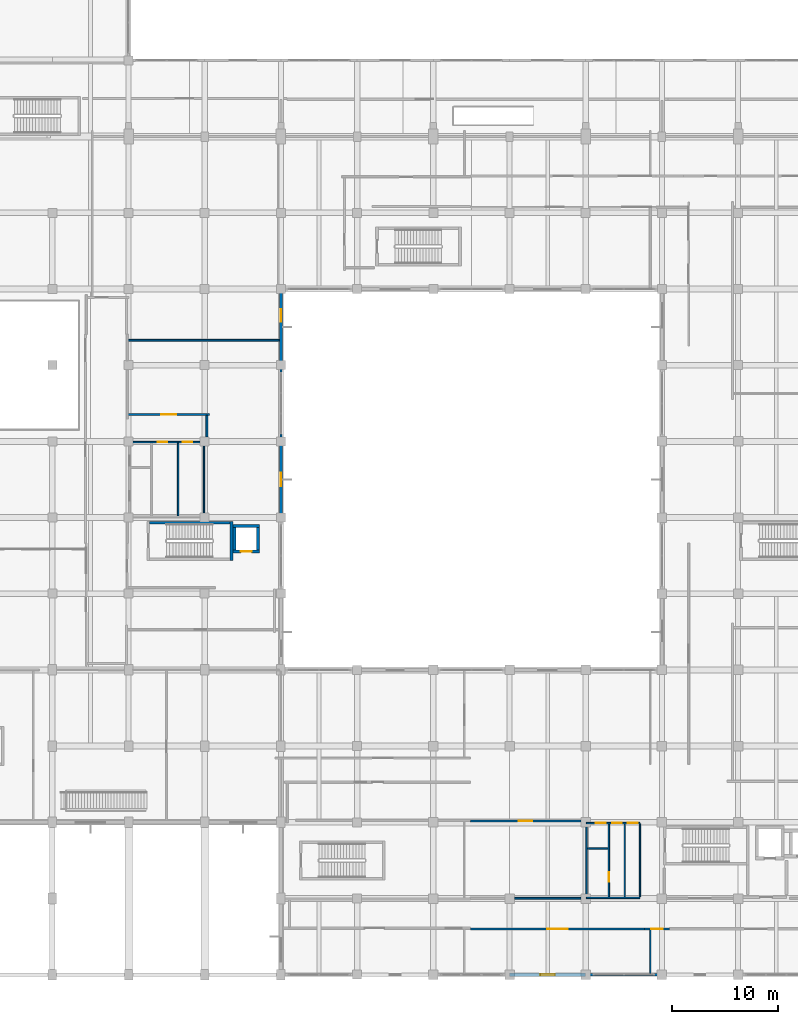
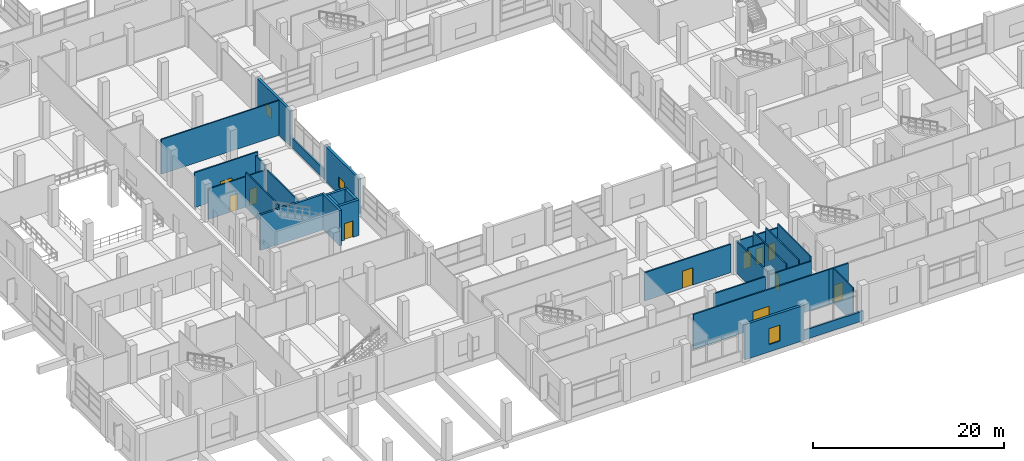
# One storey, part 157 of 181: 29 walls, 11 doors, 3 windows, 14 openings.
"""IFC4 building model written with IfcOpenShell, lengths in metres."""

from ifc_helpers import new_model, si_unit, direction, frame, frame_2d, origin, place, context, subcontext, project, spatial, rectangle, extrude, material, layer, layer_set, type_object, element, fill, save


model = new_model("IFC4")

# Units and contexts
model_context = context("Model", 3, precision=1e-05, world=origin(), true_north=direction((0.0, 1.0)))
body_context = subcontext(model_context, "Body", "Model", "MODEL_VIEW")
ifc_project = project(units=[si_unit("LENGTHUNIT", "METRE"), si_unit("AREAUNIT", "SQUARE_METRE"), si_unit("VOLUMEUNIT", "CUBIC_METRE"), si_unit("PLANEANGLEUNIT", "RADIAN"), si_unit("MASSUNIT", "GRAM", prefix="KILO")], contexts=[model_context])

# Site, building, storey
site_placement = place(None, origin())
site = spatial("IfcSite", under=ifc_project, at=site_placement, CompositionType="ELEMENT")
building_placement = place(site_placement, origin())
building = spatial("IfcBuilding", under=site, at=building_placement, Name="Seraya Terrace Polytechnic", CompositionType="ELEMENT")
storey_placement = place(building_placement, frame((0.0, 0.0, 4.800048828125)))
storey = spatial("IfcBuildingStorey", under=building, at=storey_placement, Name="L01", CompositionType="ELEMENT", Elevation=4.800048828125)

# Wall, opening, window
ifc_material_1 = material(Name="Concrete C40/50", Category="concrete")
ifc_layer_1 = layer(ifc_material_1, 0.300048828125, Name="EW-01")
ifc_layer_set_1 = layer_set([ifc_layer_1], Name="Concrete C40/50")
wall_type_1 = type_object("IfcWallType", Name="EW-01", PredefinedType="SOLIDWALL", material=ifc_layer_set_1)
wall_1_placement = place(storey_placement, frame((72.0, 0.0, 0.0), z_axis=(0.0, 0.0, 1.0), x_axis=(-1.0, 0.0, 0.0)))
wall_1 = element("IfcWall", 1, at=wall_1_placement, inside=storey, type_object=wall_type_1, Name="Exterior structural wall EW-01 L01", PredefinedType="SOLIDWALL", context=body_context, shape_type="SweptSolid", body=[
    extrude(rectangle(XDim=7.199951171875, YDim=0.300048828125, at=frame_2d((3.60009765625, 0.0))), origin(), (0.0, 0.0, 1.0), 4.52001953125),
])
opening_1_placement = place(wall_1_placement, frame((2.925048828125, 0.0, 0.949951171875)))
opening_1 = element("IfcOpeningElement", 2, at=opening_1_placement, cuts=wall_1, Name="Opening WN-38", PredefinedType="OPENING", context=body_context, shape_type="SweptSolid", body=[
    extrude(rectangle(XDim=1.35009765625, YDim=2.050048828125, at=frame_2d((0.675048828125, 1.02490234375))), frame((0.0, 0.162109375, 0.0), z_axis=(0.0, -1.0, 0.0), x_axis=(1.0, 0.0, 0.0)), (0.0, 0.0, 1.0), 0.323974609375),
])
ifc_material_2 = material(Name="Laminated solar-control Low-E double glazing", Category="glass")
window_type_1 = type_object("IfcWindowType", Name="WN-38", PartitioningType="SINGLE_PANEL", PredefinedType="WINDOW", material=ifc_material_2)
window_1_placement = place(opening_1_placement, origin())
window_1 = element("IfcWindow", 3, at=window_1_placement, inside=storey, type_object=window_type_1, Name="Exterior window WN-38 L01", OverallHeight=2.050048828125, OverallWidth=1.35009765625, PartitioningType="SINGLE_PANEL", PredefinedType="WINDOW", context=body_context, shape_type="SweptSolid", body=[
    extrude(rectangle(XDim=1.35009765625, YDim=2.050048828125, at=frame_2d((0.675048828125, 1.02490234375))), frame((0.0, 0.030029296875, 0.0), z_axis=(0.0, -1.0, 0.0), x_axis=(1.0, 0.0, 0.0)), (0.0, 0.0, 1.0), 0.06005859375),
])
fill(opening_1, window_1)

wall_2_placement = place(storey_placement, frame((43.199951171875, 64.64794921875, 0.0), z_axis=(0.0, 0.0, 1.0), x_axis=(0.0, -1.0, 0.0)))
wall_2 = element("IfcWall", 4, at=wall_2_placement, inside=storey, type_object=wall_type_1, Name="Exterior structural wall EW-01 L01", PredefinedType="SOLIDWALL", context=body_context, shape_type="SweptSolid", body=[
    extrude(rectangle(XDim=7.0478515625, YDim=0.300048828125, at=frame_2d((3.52392578125, 0.0))), origin(), (0.0, 0.0, 1.0), 4.52001953125),
])
opening_2_placement = place(wall_2_placement, frame((1.781494140625, 0.0, 0.949951171875)))
opening_2 = element("IfcOpeningElement", 5, at=opening_2_placement, cuts=wall_2, Name="Opening WN-02", PredefinedType="OPENING", context=body_context, shape_type="SweptSolid", body=[
    extrude(rectangle(XDim=1.14990234375, YDim=1.300048828125, at=frame_2d((0.574951171875, 0.64990234375))), frame((0.0, 0.162109375, 0.0), z_axis=(0.0, -1.0, 0.0), x_axis=(1.0, 0.0, 0.0)), (0.0, 0.0, 1.0), 0.323974609375),
])
window_type_2 = type_object("IfcWindowType", Name="WN-02", PartitioningType="SINGLE_PANEL", PredefinedType="WINDOW", material=ifc_material_2)
window_2_placement = place(opening_2_placement, origin())
window_2 = element("IfcWindow", 6, at=window_2_placement, inside=storey, type_object=window_type_2, Name="Exterior window WN-02 L01", OverallHeight=1.300048828125, OverallWidth=1.14990234375, PartitioningType="SINGLE_PANEL", PredefinedType="WINDOW", context=body_context, shape_type="SweptSolid", body=[
    extrude(rectangle(XDim=1.14990234375, YDim=1.300048828125, at=frame_2d((0.574951171875, 0.64990234375))), frame((0.0, 0.030029296875, 0.0), z_axis=(0.0, -1.0, 0.0), x_axis=(1.0, 0.0, 0.0)), (0.0, 0.0, 1.0), 0.06005859375),
])
fill(opening_2, window_2)

wall_3_placement = place(storey_placement, frame((43.199951171875, 50.39990234375, 0.0), z_axis=(0.0, 0.0, 1.0), x_axis=(0.0, -1.0, 0.0)))
wall_3 = element("IfcWall", 7, at=wall_3_placement, inside=storey, type_object=wall_type_1, Name="Exterior structural wall EW-01 L01", PredefinedType="SOLIDWALL", context=body_context, shape_type="SweptSolid", body=[
    extrude(rectangle(XDim=7.199951171875, YDim=0.300048828125, at=frame_2d((3.60009765625, 0.0))), origin(), (0.0, 0.0, 1.0), 4.52001953125),
])
opening_3_placement = place(wall_3_placement, frame((2.949951171875, 0.0, 0.949951171875)))
opening_3 = element("IfcOpeningElement", 8, at=opening_3_placement, cuts=wall_3, Name="Opening WN-03", PredefinedType="OPENING", context=body_context, shape_type="SweptSolid", body=[
    extrude(rectangle(XDim=1.300048828125, YDim=1.300048828125, at=frame_2d((0.64990234375, 0.64990234375))), frame((0.0, 0.162109375, 0.0), z_axis=(0.0, -1.0, 0.0), x_axis=(1.0, 0.0, 0.0)), (0.0, 0.0, 1.0), 0.323974609375),
])
window_type_3 = type_object("IfcWindowType", Name="WN-03", PartitioningType="SINGLE_PANEL", PredefinedType="WINDOW", material=ifc_material_2)
window_3_placement = place(opening_3_placement, origin())
window_3 = element("IfcWindow", 9, at=window_3_placement, inside=storey, type_object=window_type_3, Name="Exterior window WN-03 L01", OverallHeight=1.300048828125, OverallWidth=1.300048828125, PartitioningType="SINGLE_PANEL", PredefinedType="WINDOW", context=body_context, shape_type="SweptSolid", body=[
    extrude(rectangle(XDim=1.300048828125, YDim=1.300048828125, at=frame_2d((0.64990234375, 0.64990234375))), frame((0.0, 0.030029296875, 0.0), z_axis=(0.0, -1.0, 0.0), x_axis=(1.0, 0.0, 0.0)), (0.0, 0.0, 1.0), 0.06005859375),
])
fill(opening_3, window_3)

# Walls
ifc_material_3 = material(Name="Precast concrete C40/50", Category="concrete")
ifc_layer_2 = layer(ifc_material_3, 0.219970703125, Name="EW-05")
ifc_layer_set_2 = layer_set([ifc_layer_2], Name="Precast concrete C40/50")
wall_type_2 = type_object("IfcWallType", Name="EW-05", PredefinedType="SOLIDWALL", material=ifc_layer_set_2)
wall_4_placement = place(storey_placement, frame((79.199951171875, 0.0, 0.0), z_axis=(0.0, 0.0, 1.0), x_axis=(-1.0, 0.0, 0.0)))
element("IfcWall", 10, at=wall_4_placement, inside=storey, type_object=wall_type_2, Name="Precast spandrel wall L01", PredefinedType="SOLIDWALL", context=body_context, shape_type="SweptSolid", body=[
    extrude(rectangle(XDim=7.199951171875, YDim=0.219970703125, at=frame_2d((3.60009765625, 0.0))), origin(), (0.0, 0.0, 1.0), 1.239990234375),
])
wall_5_placement = place(storey_placement, frame((43.199951171875, 57.60009765625, 0.0), z_axis=(0.0, 0.0, 1.0), x_axis=(0.0, -1.0, 0.0)))
element("IfcWall", 11, at=wall_5_placement, inside=storey, type_object=wall_type_2, Name="Precast spandrel wall L01", PredefinedType="SOLIDWALL", context=body_context, shape_type="SweptSolid", body=[
    extrude(rectangle(XDim=7.2001953125, YDim=0.219970703125, at=frame_2d((3.60009765625, 0.0))), origin(), (0.0, 0.0, 1.0), 1.239990234375),
])

# Wall, opening, door
ifc_material_4 = material(Name="Autoclaved aerated concrete blockwork", Category="masonry")
ifc_layer_3 = layer(ifc_material_4, 0.169921875, Name="PT-02")
ifc_layer_set_3 = layer_set([ifc_layer_3], Name="Autoclaved aerated concrete blockwork")
wall_type_3 = type_object("IfcWallType", Name="PT-02", PredefinedType="PARTITIONING", material=ifc_layer_set_3)
wall_6_placement = place(storey_placement, frame((61.09814453125, 14.530029296875, 0.0), z_axis=(0.0, 0.0, 1.0), x_axis=(1.0, 0.0, 0.0)))
wall_6 = element("IfcWall", 12, at=wall_6_placement, inside=storey, type_object=wall_type_3, Name="Internal partition PT-02 L01", PredefinedType="PARTITIONING", context=body_context, shape_type="SweptSolid", body=[
    extrude(rectangle(XDim=10.44189453125, YDim=0.169921875, at=frame_2d((5.220947265625, 0.0))), origin(), (0.0, 0.0, 1.0), 3.6298828125),
])
opening_4_placement = place(wall_6_placement, frame((4.580810546875, 0.0, 0.0)))
opening_4 = element("IfcOpeningElement", 13, at=opening_4_placement, cuts=wall_6, Name="Opening ID-08", PredefinedType="OPENING", context=body_context, shape_type="SweptSolid", body=[
    extrude(rectangle(XDim=1.280029296875, YDim=2.219970703125, at=frame_2d((0.64013671875, 1.10986328125))), frame((0.0, 0.096923828125, 0.0), z_axis=(0.0, -1.0, 0.0), x_axis=(1.0, 0.0, 0.0)), (0.0, 0.0, 1.0), 0.19384765625),
])
ifc_material_5 = material(Name="Malaysian dark red meranti hardwood timber D40", Category="wood")
door_type_1 = type_object("IfcDoorType", Name="ID-08", OperationType="NOTDEFINED", PredefinedType="DOOR", material=ifc_material_5)
door_1_placement = place(opening_4_placement, frame((1.280029296875, 0.0, 0.0), z_axis=(0.0, 0.0, 1.0), x_axis=(-1.0, 0.0, 0.0)))
door_1 = element("IfcDoor", 14, at=door_1_placement, inside=storey, type_object=door_type_1, Name="Door ID-08 DR-INT-L01-0085 in WL-INT-L01-0248", OperationType="SINGLE_SWING_RIGHT", OverallHeight=2.219970703125, OverallWidth=1.280029296875, PredefinedType="DOOR", context=body_context, shape_type="SweptSolid", body=[
    extrude(rectangle(XDim=1.280029296875, YDim=2.219970703125, at=frame_2d((0.64013671875, 1.10986328125))), frame((0.0, 0.02490234375, 0.0), z_axis=(0.0, -1.0, 0.0), x_axis=(1.0, 0.0, 0.0)), (0.0, 0.0, 1.0), 0.050048828125),
])
fill(opening_4, door_1)

wall_7_placement = place(storey_placement, frame((77.542236328125, 4.330078125, 0.0), z_axis=(0.0, 0.0, 1.0), x_axis=(1.0, 0.0, 0.0)))
wall_7 = element("IfcWall", 15, at=wall_7_placement, inside=storey, type_object=wall_type_3, Name="Internal partition PT-02 L01", PredefinedType="PARTITIONING", context=body_context, shape_type="SweptSolid", body=[
    extrude(rectangle(XDim=2.36767578125, YDim=0.169921875, at=frame_2d((1.183837890625, 0.0))), origin(), (0.0, 0.0, 1.0), 4.4599609375),
])
opening_5_placement = place(wall_7_placement, frame((0.643798828125, 0.0, 0.0)))
opening_5 = element("IfcOpeningElement", 16, at=opening_5_placement, cuts=wall_7, Name="Opening ID-05", PredefinedType="OPENING", context=body_context, shape_type="SweptSolid", body=[
    extrude(rectangle(XDim=1.080078125, YDim=2.199951171875, at=frame_2d((0.5400390625, 1.10009765625))), frame((0.0, 0.096923828125, 0.0), z_axis=(0.0, -1.0, 0.0), x_axis=(1.0, 0.0, 0.0)), (0.0, 0.0, 1.0), 0.19384765625),
])
door_type_2 = type_object("IfcDoorType", Name="ID-05", OperationType="NOTDEFINED", PredefinedType="DOOR", material=ifc_material_5)
door_2_placement = place(opening_5_placement, frame((1.080078125, 0.0, 0.0), z_axis=(0.0, 0.0, 1.0), x_axis=(-1.0, 0.0, 0.0)))
door_2 = element("IfcDoor", 17, at=door_2_placement, inside=storey, type_object=door_type_2, Name="Door ID-05 DR-INT-L01-0101 in WL-INT-L01-0260", OperationType="SINGLE_SWING_RIGHT", OverallHeight=2.199951171875, OverallWidth=1.080078125, PredefinedType="DOOR", context=body_context, shape_type="SweptSolid", body=[
    extrude(rectangle(XDim=1.080078125, YDim=2.199951171875, at=frame_2d((0.5400390625, 1.10009765625))), frame((0.0, 0.02490234375, 0.0), z_axis=(0.0, -1.0, 0.0), x_axis=(1.0, 0.0, 0.0)), (0.0, 0.0, 1.0), 0.050048828125),
])
fill(opening_5, door_2)

wall_8_placement = place(storey_placement, frame((61.09814453125, 4.330078125, 0.0), z_axis=(0.0, 0.0, 1.0), x_axis=(1.0, 0.0, 0.0)))
wall_8 = element("IfcWall", 18, at=wall_8_placement, inside=storey, type_object=wall_type_3, Name="Internal partition PT-02 L01", PredefinedType="PARTITIONING", context=body_context, shape_type="SweptSolid", body=[
    extrude(rectangle(XDim=16.444091796875, YDim=0.169921875, at=frame_2d((8.22216796875, 0.0))), origin(), (0.0, 0.0, 1.0), 4.4599609375),
])
opening_6_placement = place(wall_8_placement, frame((7.261962890625, 0.0, 0.0)))
opening_6 = element("IfcOpeningElement", 19, at=opening_6_placement, cuts=wall_8, Name="Opening ID-16", PredefinedType="OPENING", context=body_context, shape_type="SweptSolid", body=[
    extrude(rectangle(XDim=1.919921875, YDim=2.320068359375, at=frame_2d((0.9599609375, 1.16015625))), frame((0.0, 0.096923828125, 0.0), z_axis=(0.0, -1.0, 0.0), x_axis=(1.0, 0.0, 0.0)), (0.0, 0.0, 1.0), 0.19384765625),
])
door_type_3 = type_object("IfcDoorType", Name="ID-16", OperationType="DOUBLE_DOOR_SINGLE_SWING", PredefinedType="DOOR", material=ifc_material_5)
door_3_placement = place(opening_6_placement, frame((1.919921875, 0.0, 0.0), z_axis=(0.0, 0.0, 1.0), x_axis=(-1.0, 0.0, 0.0)))
door_3 = element("IfcDoor", 20, at=door_3_placement, inside=storey, type_object=door_type_3, Name="Door ID-16 DR-INT-L01-0077 in WL-INT-L01-0275", OperationType="DOUBLE_DOOR_SINGLE_SWING", OverallHeight=2.320068359375, OverallWidth=1.919921875, PredefinedType="DOOR", context=body_context, shape_type="SweptSolid", body=[
    extrude(rectangle(XDim=1.919921875, YDim=2.320068359375, at=frame_2d((0.9599609375, 1.16015625))), frame((0.0, 0.02490234375, 0.0), z_axis=(0.0, -1.0, 0.0), x_axis=(1.0, 0.0, 0.0)), (0.0, 0.0, 1.0), 0.050048828125),
])
fill(opening_6, door_3)

# Wall
wall_9_placement = place(storey_placement, frame((65.260009765625, 7.219970703125, 0.0), z_axis=(0.0, 0.0, 1.0), x_axis=(1.0, 0.0, 0.0)))
element("IfcWall", 21, at=wall_9_placement, inside=storey, type_object=wall_type_3, Name="Internal partition PT-02 L01", PredefinedType="PARTITIONING", context=body_context, shape_type="SweptSolid", body=[
    extrude(rectangle(XDim=6.280029296875, YDim=0.169921875, at=frame_2d((3.14013671875, 0.0))), origin(), (0.0, 0.0, 1.0), 3.89990234375),
])

# Wall, opening, door
wall_10_placement = place(storey_placement, frame((28.77001953125, 52.949951171875, 0.0), z_axis=(0.0, 0.0, 1.0), x_axis=(1.0, 0.0, 0.0)))
wall_10 = element("IfcWall", 22, at=wall_10_placement, inside=storey, type_object=wall_type_3, Name="Internal partition PT-02 L01", PredefinedType="PARTITIONING", context=body_context, shape_type="SweptSolid", body=[
    extrude(rectangle(XDim=7.669921875, YDim=0.169921875, at=frame_2d((3.8349609375, 0.0))), origin(), (0.0, 0.0, 1.0), 4.4599609375),
])
opening_7_placement = place(wall_10_placement, frame((3.125, 0.0, 0.0)))
opening_7 = element("IfcOpeningElement", 23, at=opening_7_placement, cuts=wall_10, Name="Opening ID-10", PredefinedType="OPENING", context=body_context, shape_type="SweptSolid", body=[
    extrude(rectangle(XDim=1.419921875, YDim=2.239990234375, at=frame_2d((0.7099609375, 1.1201171875))), frame((0.0, 0.096923828125, 0.0), z_axis=(0.0, -1.0, 0.0), x_axis=(1.0, 0.0, 0.0)), (0.0, 0.0, 1.0), 0.19384765625),
])
door_type_4 = type_object("IfcDoorType", Name="ID-10", OperationType="DOUBLE_DOOR_SINGLE_SWING", PredefinedType="DOOR", material=ifc_material_5)
door_4_placement = place(opening_7_placement, frame((1.419921875, 0.0, 0.0), z_axis=(0.0, 0.0, 1.0), x_axis=(-1.0, 0.0, 0.0)))
door_4 = element("IfcDoor", 24, at=door_4_placement, inside=storey, type_object=door_type_4, Name="Door ID-10 DR-INT-L01-0087 in WL-INT-L01-0313", OperationType="DOUBLE_DOOR_SINGLE_SWING", OverallHeight=2.239990234375, OverallWidth=1.419921875, PredefinedType="DOOR", context=body_context, shape_type="SweptSolid", body=[
    extrude(rectangle(XDim=1.419921875, YDim=2.239990234375, at=frame_2d((0.7099609375, 1.1201171875))), frame((0.0, 0.02490234375, 0.0), z_axis=(0.0, -1.0, 0.0), x_axis=(1.0, 0.0, 0.0)), (0.0, 0.0, 1.0), 0.050048828125),
])
fill(opening_7, door_4)

# Walls
wall_11_placement = place(storey_placement, frame((36.199951171875, 50.8349609375, 0.0), z_axis=(0.0, 0.0, 1.0), x_axis=(0.0, 1.0, 0.0)))
element("IfcWall", 25, at=wall_11_placement, inside=storey, type_object=wall_type_3, Name="Internal partition PT-02 L01", PredefinedType="PARTITIONING", context=body_context, shape_type="SweptSolid", body=[
    extrude(rectangle(XDim=2.01513671875, YDim=0.169921875, at=frame_2d((1.007568359375, 0.0))), origin(), (0.0, 0.0, 1.0), 4.079833984375),
])
ifc_layer_4 = layer(ifc_material_4, 0.14990234375, Name="PT-03")
ifc_layer_set_4 = layer_set([ifc_layer_4], Name="Autoclaved aerated concrete blockwork")
wall_type_4 = type_object("IfcWallType", Name="PT-03", PredefinedType="PARTITIONING", material=ifc_layer_set_4)
wall_12_placement = place(storey_placement, frame((28.77001953125, 59.955078125, 0.0), z_axis=(0.0, 0.0, 1.0), x_axis=(1.0, 0.0, 0.0)))
element("IfcWall", 26, at=wall_12_placement, inside=storey, type_object=wall_type_4, Name="Internal partition PT-03 L01", PredefinedType="PARTITIONING", context=body_context, shape_type="SweptSolid", body=[
    extrude(rectangle(XDim=14.26806640625, YDim=0.14990234375, at=frame_2d((7.134033203125, 0.0))), origin(), (0.0, 0.0, 1.0), 4.4599609375),
])
ifc_layer_5 = layer(ifc_material_4, 0.139892578125, Name="PT-04")
ifc_layer_set_5 = layer_set([ifc_layer_5], Name="Autoclaved aerated concrete blockwork")
wall_type_5 = type_object("IfcWallType", Name="PT-04", PredefinedType="PARTITIONING", material=ifc_layer_set_5)
wall_13_placement = place(storey_placement, frame((72.070068359375, 7.27001953125, 0.0), z_axis=(0.0, 0.0, 1.0), x_axis=(1.0, 0.0, 0.0)))
element("IfcWall", 27, at=wall_13_placement, inside=storey, type_object=wall_type_5, Name="Sanitary WC-A South wall L01", PredefinedType="PARTITIONING", context=body_context, shape_type="SweptSolid", body=[
    extrude(rectangle(XDim=5.059814453125, YDim=0.139892578125, at=frame_2d((2.52978515625, 0.0))), origin(), (0.0, 0.0, 1.0), 3.89990234375),
])

# Wall, openings, doors
wall_14_placement = place(storey_placement, frame((72.070068359375, 14.330078125, 0.0), z_axis=(0.0, 0.0, 1.0), x_axis=(1.0, 0.0, 0.0)))
wall_14 = element("IfcWall", 28, at=wall_14_placement, inside=storey, type_object=wall_type_5, Name="Sanitary WC-A North wall L01", PredefinedType="PARTITIONING", context=body_context, shape_type="SweptSolid", body=[
    extrude(rectangle(XDim=5.059814453125, YDim=0.139892578125, at=frame_2d((2.52978515625, 0.0))), origin(), (0.0, 0.0, 1.0), 3.89990234375),
])
opening_8_placement = place(wall_14_placement, frame((0.8798828125, 0.0, 0.0)))
opening_8 = element("IfcOpeningElement", 29, at=opening_8_placement, cuts=wall_14, Name="Opening ID-01", PredefinedType="OPENING", context=body_context, shape_type="SweptSolid", body=[
    extrude(rectangle(XDim=0.93994140625, YDim=2.10009765625, at=frame_2d((0.469970703125, 1.050048828125))), frame((0.0, 0.08203125, 0.0), z_axis=(0.0, -1.0, 0.0), x_axis=(1.0, 0.0, 0.0)), (0.0, 0.0, 1.0), 0.163818359375),
])
opening_9_placement = place(wall_14_placement, frame((2.4150390625, 0.0, 0.0)))
opening_9 = element("IfcOpeningElement", 30, at=opening_9_placement, cuts=wall_14, Name="Opening ID-02", PredefinedType="OPENING", context=body_context, shape_type="SweptSolid", body=[
    extrude(rectangle(XDim=0.89990234375, YDim=2.080078125, at=frame_2d((0.449951171875, 1.0400390625))), frame((0.0, 0.08203125, 0.0), z_axis=(0.0, -1.0, 0.0), x_axis=(1.0, 0.0, 0.0)), (0.0, 0.0, 1.0), 0.163818359375),
])
opening_10_placement = place(wall_14_placement, frame((3.925048828125, 0.0, 0.0)))
opening_10 = element("IfcOpeningElement", 31, at=opening_10_placement, cuts=wall_14, Name="Opening ID-02", PredefinedType="OPENING", context=body_context, shape_type="SweptSolid", body=[
    extrude(rectangle(XDim=0.89990234375, YDim=2.080078125, at=frame_2d((0.449951171875, 1.0400390625))), frame((0.0, 0.08203125, 0.0), z_axis=(0.0, -1.0, 0.0), x_axis=(1.0, 0.0, 0.0)), (0.0, 0.0, 1.0), 0.163818359375),
])
door_type_5 = type_object("IfcDoorType", Name="ID-01", OperationType="NOTDEFINED", PredefinedType="DOOR", material=ifc_material_5)
door_5_placement = place(opening_8_placement, origin())
door_5 = element("IfcDoor", 32, at=door_5_placement, inside=storey, type_object=door_type_5, Name="Door ID-01 DR-WC-WC-A-L01-OKU in WL-WC-WC-A-L01-N", OperationType="SINGLE_SWING_LEFT", OverallHeight=2.10009765625, OverallWidth=0.93994140625, PredefinedType="DOOR", context=body_context, shape_type="SweptSolid", body=[
    extrude(rectangle(XDim=0.93994140625, YDim=2.10009765625, at=frame_2d((0.469970703125, 1.050048828125))), frame((0.0, 0.02490234375, 0.0), z_axis=(0.0, -1.0, 0.0), x_axis=(1.0, 0.0, 0.0)), (0.0, 0.0, 1.0), 0.050048828125),
])
fill(opening_8, door_5)
door_type_6 = type_object("IfcDoorType", Name="ID-02", OperationType="NOTDEFINED", PredefinedType="DOOR", material=ifc_material_5)
door_6_placement = place(opening_9_placement, frame((0.89990234375, 0.0, 0.0), z_axis=(0.0, 0.0, 1.0), x_axis=(-1.0, 0.0, 0.0)))
door_6 = element("IfcDoor", 33, at=door_6_placement, inside=storey, type_object=door_type_6, Name="Door ID-02 DR-WC-WC-A-L01-M in WL-WC-WC-A-L01-N", OperationType="SINGLE_SWING_RIGHT", OverallHeight=2.080078125, OverallWidth=0.89990234375, PredefinedType="DOOR", context=body_context, shape_type="SweptSolid", body=[
    extrude(rectangle(XDim=0.89990234375, YDim=2.080078125, at=frame_2d((0.449951171875, 1.0400390625))), frame((0.0, 0.02490234375, 0.0), z_axis=(0.0, -1.0, 0.0), x_axis=(1.0, 0.0, 0.0)), (0.0, 0.0, 1.0), 0.050048828125),
])
fill(opening_9, door_6)
door_7_placement = place(opening_10_placement, frame((0.89990234375, 0.0, 0.0), z_axis=(0.0, 0.0, 1.0), x_axis=(-1.0, 0.0, 0.0)))
door_7 = element("IfcDoor", 34, at=door_7_placement, inside=storey, type_object=door_type_6, Name="Door ID-02 DR-WC-WC-A-L01-F in WL-WC-WC-A-L01-N", OperationType="SINGLE_SWING_LEFT", OverallHeight=2.080078125, OverallWidth=0.89990234375, PredefinedType="DOOR", context=body_context, shape_type="SweptSolid", body=[
    extrude(rectangle(XDim=0.89990234375, YDim=2.080078125, at=frame_2d((0.449951171875, 1.0400390625))), frame((0.0, 0.02490234375, 0.0), z_axis=(0.0, -1.0, 0.0), x_axis=(1.0, 0.0, 0.0)), (0.0, 0.0, 1.0), 0.050048828125),
])
fill(opening_10, door_7)

# Walls
wall_15_placement = place(storey_placement, frame((72.070068359375, 7.35009765625, 0.0), z_axis=(0.0, 0.0, 1.0), x_axis=(0.0, 1.0, 0.0)))
element("IfcWall", 35, at=wall_15_placement, inside=storey, type_object=wall_type_5, Name="Sanitary WC-A West wall L01", PredefinedType="PARTITIONING", context=body_context, shape_type="SweptSolid", body=[
    extrude(rectangle(XDim=6.89990234375, YDim=0.139892578125, at=frame_2d((3.449951171875, 0.0))), origin(), (0.0, 0.0, 1.0), 4.079833984375),
])
wall_16_placement = place(storey_placement, frame((77.1298828125, 7.35009765625, 0.0), z_axis=(0.0, 0.0, 1.0), x_axis=(0.0, 1.0, 0.0)))
element("IfcWall", 36, at=wall_16_placement, inside=storey, type_object=wall_type_5, Name="Sanitary WC-A East wall L01", PredefinedType="PARTITIONING", context=body_context, shape_type="SweptSolid", body=[
    extrude(rectangle(XDim=6.89990234375, YDim=0.139892578125, at=frame_2d((3.449951171875, 0.0))), origin(), (0.0, 0.0, 1.0), 4.4599609375),
])

# Wall, opening, door
wall_17_placement = place(storey_placement, frame((74.179931640625, 7.35009765625, 0.0), z_axis=(0.0, 0.0, 1.0), x_axis=(0.0, 1.0, 0.0)))
wall_17 = element("IfcWall", 37, at=wall_17_placement, inside=storey, type_object=wall_type_5, Name="Sanitary WC-A OKU/Male divider L01", PredefinedType="PARTITIONING", context=body_context, shape_type="SweptSolid", body=[
    extrude(rectangle(XDim=6.89990234375, YDim=0.139892578125, at=frame_2d((3.449951171875, 0.0))), origin(), (0.0, 0.0, 1.0), 4.4599609375),
])
opening_11_placement = place(wall_17_placement, frame((1.449951171875, 0.0, 0.0)))
opening_11 = element("IfcOpeningElement", 38, at=opening_11_placement, cuts=wall_17, Name="Opening ID-02", PredefinedType="OPENING", context=body_context, shape_type="SweptSolid", body=[
    extrude(rectangle(XDim=0.89990234375, YDim=2.080078125, at=frame_2d((0.449951171875, 1.0400390625))), frame((0.0, 0.08203125, 0.0), z_axis=(0.0, -1.0, 0.0), x_axis=(1.0, 0.0, 0.0)), (0.0, 0.0, 1.0), 0.163818359375),
])
door_8_placement = place(opening_11_placement, origin())
door_8 = element("IfcDoor", 39, at=door_8_placement, inside=storey, type_object=door_type_6, Name="Door ID-02 DR-WC-WC-A-L01-CLN in WL-WC-WC-A-L01-D1", OperationType="SINGLE_SWING_RIGHT", OverallHeight=2.080078125, OverallWidth=0.89990234375, PredefinedType="DOOR", context=body_context, shape_type="SweptSolid", body=[
    extrude(rectangle(XDim=0.89990234375, YDim=2.080078125, at=frame_2d((0.449951171875, 1.0400390625))), frame((0.0, 0.02490234375, 0.0), z_axis=(0.0, -1.0, 0.0), x_axis=(1.0, 0.0, 0.0)), (0.0, 0.0, 1.0), 0.050048828125),
])
fill(opening_11, door_8)

# Walls
wall_18_placement = place(storey_placement, frame((75.68994140625, 7.35009765625, 0.0), z_axis=(0.0, 0.0, 1.0), x_axis=(0.0, 1.0, 0.0)))
element("IfcWall", 40, at=wall_18_placement, inside=storey, type_object=wall_type_5, Name="Sanitary WC-A Male/Female divider L01", PredefinedType="PARTITIONING", context=body_context, shape_type="SweptSolid", body=[
    extrude(rectangle(XDim=6.89990234375, YDim=0.139892578125, at=frame_2d((3.449951171875, 0.0))), origin(), (0.0, 0.0, 1.0), 4.4599609375),
])
wall_19_placement = place(storey_placement, frame((72.14990234375, 11.919921875, 0.0), z_axis=(0.0, 0.0, 1.0), x_axis=(1.0, 0.0, 0.0)))
element("IfcWall", 41, at=wall_19_placement, inside=storey, type_object=wall_type_5, Name="Sanitary WC-A OKU/Cleaner divider L01", PredefinedType="PARTITIONING", context=body_context, shape_type="SweptSolid", body=[
    extrude(rectangle(XDim=1.9501953125, YDim=0.139892578125, at=frame_2d((0.97509765625, 0.0))), origin(), (0.0, 0.0, 1.0), 4.4599609375),
])

# Wall, openings, doors
wall_20_placement = place(storey_placement, frame((28.8701171875, 50.330078125, 0.0), z_axis=(0.0, 0.0, 1.0), x_axis=(1.0, 0.0, 0.0)))
wall_20 = element("IfcWall", 42, at=wall_20_placement, inside=storey, type_object=wall_type_5, Name="Sanitary WC-B North wall L01", PredefinedType="PARTITIONING", context=body_context, shape_type="SweptSolid", body=[
    extrude(rectangle(XDim=7.059814453125, YDim=0.139892578125, at=frame_2d((3.52978515625, 0.0))), origin(), (0.0, 0.0, 1.0), 3.89990234375),
])
opening_12_placement = place(wall_20_placement, frame((2.679931640625, 0.0, 0.0)))
opening_12 = element("IfcOpeningElement", 43, at=opening_12_placement, cuts=wall_20, Name="Opening ID-02", PredefinedType="OPENING", context=body_context, shape_type="SweptSolid", body=[
    extrude(rectangle(XDim=0.89990234375, YDim=2.080078125, at=frame_2d((0.449951171875, 1.0400390625))), frame((0.0, 0.08203125, 0.0), z_axis=(0.0, -1.0, 0.0), x_axis=(1.0, 0.0, 0.0)), (0.0, 0.0, 1.0), 0.163818359375),
])
opening_13_placement = place(wall_20_placement, frame((5.050048828125, 0.0, 0.0)))
opening_13 = element("IfcOpeningElement", 44, at=opening_13_placement, cuts=wall_20, Name="Opening ID-02", PredefinedType="OPENING", context=body_context, shape_type="SweptSolid", body=[
    extrude(rectangle(XDim=0.89990234375, YDim=2.080078125, at=frame_2d((0.449951171875, 1.0400390625))), frame((0.0, 0.08203125, 0.0), z_axis=(0.0, -1.0, 0.0), x_axis=(1.0, 0.0, 0.0)), (0.0, 0.0, 1.0), 0.163818359375),
])
door_9_placement = place(opening_12_placement, frame((0.89990234375, 0.0, 0.0), z_axis=(0.0, 0.0, 1.0), x_axis=(-1.0, 0.0, 0.0)))
door_9 = element("IfcDoor", 45, at=door_9_placement, inside=storey, type_object=door_type_6, Name="Door ID-02 DR-WC-WC-B-L01-M in WL-WC-WC-B-L01-N", OperationType="SINGLE_SWING_LEFT", OverallHeight=2.080078125, OverallWidth=0.89990234375, PredefinedType="DOOR", context=body_context, shape_type="SweptSolid", body=[
    extrude(rectangle(XDim=0.89990234375, YDim=2.080078125, at=frame_2d((0.449951171875, 1.0400390625))), frame((0.0, 0.02490234375, 0.0), z_axis=(0.0, -1.0, 0.0), x_axis=(1.0, 0.0, 0.0)), (0.0, 0.0, 1.0), 0.050048828125),
])
fill(opening_12, door_9)
door_10_placement = place(opening_13_placement, frame((0.89990234375, 0.0, 0.0), z_axis=(0.0, 0.0, 1.0), x_axis=(-1.0, 0.0, 0.0)))
door_10 = element("IfcDoor", 46, at=door_10_placement, inside=storey, type_object=door_type_6, Name="Door ID-02 DR-WC-WC-B-L01-F in WL-WC-WC-B-L01-N", OperationType="SINGLE_SWING_RIGHT", OverallHeight=2.080078125, OverallWidth=0.89990234375, PredefinedType="DOOR", context=body_context, shape_type="SweptSolid", body=[
    extrude(rectangle(XDim=0.89990234375, YDim=2.080078125, at=frame_2d((0.449951171875, 1.0400390625))), frame((0.0, 0.02490234375, 0.0), z_axis=(0.0, -1.0, 0.0), x_axis=(1.0, 0.0, 0.0)), (0.0, 0.0, 1.0), 0.050048828125),
])
fill(opening_13, door_10)

# Walls
wall_21_placement = place(storey_placement, frame((35.929931640625, 43.35009765625, 0.0), z_axis=(0.0, 0.0, 1.0), x_axis=(0.0, 1.0, 0.0)))
element("IfcWall", 47, at=wall_21_placement, inside=storey, type_object=wall_type_5, Name="Sanitary WC-B East wall L01", PredefinedType="PARTITIONING", context=body_context, shape_type="SweptSolid", body=[
    extrude(rectangle(XDim=6.89990234375, YDim=0.139892578125, at=frame_2d((3.449951171875, 0.0))), origin(), (0.0, 0.0, 1.0), 4.079833984375),
])
wall_22_placement = place(storey_placement, frame((33.489990234375, 43.35009765625, 0.0), z_axis=(0.0, 0.0, 1.0), x_axis=(0.0, 1.0, 0.0)))
element("IfcWall", 48, at=wall_22_placement, inside=storey, type_object=wall_type_5, Name="Sanitary WC-B Male/Female divider L01", PredefinedType="PARTITIONING", context=body_context, shape_type="SweptSolid", body=[
    extrude(rectangle(XDim=6.89990234375, YDim=0.139892578125, at=frame_2d((3.449951171875, 0.0))), origin(), (0.0, 0.0, 1.0), 4.4599609375),
])
ifc_layer_6 = layer(ifc_material_4, 0.1201171875, Name="PT-05")
ifc_layer_set_6 = layer_set([ifc_layer_6], Name="Autoclaved aerated concrete blockwork")
wall_type_6 = type_object("IfcWallType", Name="PT-05", PredefinedType="PARTITIONING", material=ifc_layer_set_6)
wall_23_placement = place(storey_placement, frame((78.102294921875, 0.1220703125, 0.0), z_axis=(0.0, 0.0, 1.0), x_axis=(0.0, 1.0, 0.0)))
element("IfcWall", 49, at=wall_23_placement, inside=storey, type_object=wall_type_6, Name="Internal partition PT-05 L01", PredefinedType="PARTITIONING", context=body_context, shape_type="SweptSolid", body=[
    extrude(rectangle(XDim=4.10791015625, YDim=0.1201171875, at=frame_2d((2.053955078125, 0.0))), origin(), (0.0, 0.0, 1.0), 4.4599609375),
])

# Wall, opening, door
ifc_layer_7 = layer(ifc_material_1, 0.300048828125, Name="SW-01")
ifc_layer_set_7 = layer_set([ifc_layer_7], Name="Concrete C40/50")
wall_type_7 = type_object("IfcWallType", Name="SW-01", PredefinedType="SHEAR", material=ifc_layer_set_7)
wall_24_placement = place(storey_placement, frame((38.669921875, 40.0, 0.0), z_axis=(0.0, 0.0, 1.0), x_axis=(1.0, 0.0, 0.0)))
wall_24 = element("IfcWall", 50, at=wall_24_placement, inside=storey, type_object=wall_type_7, Name="Lift shaft PL-05 South wall L01", PredefinedType="SHEAR", context=body_context, shape_type="SweptSolid", body=[
    extrude(rectangle(XDim=2.5, YDim=0.300048828125, at=frame_2d((1.25, 0.0))), origin(), (0.0, 0.0, 1.0), 4.550048828125),
])
opening_14_placement = place(wall_24_placement, frame((0.75, 0.0, 0.0)))
opening_14 = element("IfcOpeningElement", 51, at=opening_14_placement, cuts=wall_24, Name="Opening LD-01", PredefinedType="OPENING", context=body_context, shape_type="SweptSolid", body=[
    extrude(rectangle(XDim=1.0, YDim=2.10009765625, at=frame_2d((0.5, 1.050048828125))), frame((0.0, 0.162109375, 0.0), z_axis=(0.0, -1.0, 0.0), x_axis=(1.0, 0.0, 0.0)), (0.0, 0.0, 1.0), 0.323974609375),
])
ifc_material_6 = material(Name="Steel S355J2", Category="steel")
door_type_7 = type_object("IfcDoorType", Name="LD-01", OperationType="SLIDING_TO_LEFT", PredefinedType="DOOR", material=ifc_material_6)
door_11_placement = place(opening_14_placement, frame((1.0, 0.0, 0.0), z_axis=(0.0, 0.0, 1.0), x_axis=(-1.0, 0.0, 0.0)))
door_11 = element("IfcDoor", 52, at=door_11_placement, inside=storey, type_object=door_type_7, Name="Door LD-01 LD-PL-05-L01 in WL-SHF-PL-05-L01-S", OperationType="SLIDING_TO_LEFT", OverallHeight=2.10009765625, OverallWidth=1.0, PredefinedType="DOOR", context=body_context, shape_type="SweptSolid", body=[
    extrude(rectangle(XDim=1.0, YDim=2.10009765625, at=frame_2d((0.5, 1.050048828125))), frame((0.0, 0.02490234375, 0.0), z_axis=(0.0, -1.0, 0.0), x_axis=(1.0, 0.0, 0.0)), (0.0, 0.0, 1.0), 0.050048828125),
])
fill(opening_14, door_11)

# Walls
wall_25_placement = place(storey_placement, frame((38.669921875, 42.39990234375, 0.0), z_axis=(0.0, 0.0, 1.0), x_axis=(1.0, 0.0, 0.0)))
element("IfcWall", 53, at=wall_25_placement, inside=storey, type_object=wall_type_7, Name="Lift shaft PL-05 North wall L01", PredefinedType="SHEAR", context=body_context, shape_type="SweptSolid", body=[
    extrude(rectangle(XDim=2.5, YDim=0.300048828125, at=frame_2d((1.25, 0.0))), origin(), (0.0, 0.0, 1.0), 4.550048828125),
])
for number, where, z_axis, x_axis, name in (
    (54, (38.820068359375, 40.14990234375, 0.0), (0.0, 0.0, 1.0), (0.0, 1.0, 0.0), "Lift shaft PL-05 West wall L01"),
    (55, (41.02001953125, 40.14990234375, 0.0), (0.0, 0.0, 1.0), (0.0, 1.0, 0.0), "Lift shaft PL-05 East wall L01"),
):
    element("IfcWall", number, at=place(storey_placement, frame(where, z_axis=z_axis, x_axis=x_axis)), inside=storey, type_object=wall_type_7, Name=name, PredefinedType="SHEAR", context=body_context, shape_type="SweptSolid", body=[
        extrude(rectangle(XDim=2.10009765625, YDim=0.300048828125, at=frame_2d((1.050048828125, 0.0))), origin(), (0.0, 0.0, 1.0), 4.550048828125),
    ])
ifc_layer_8 = layer(ifc_material_1, 0.25, Name="SW-02")
ifc_layer_set_8 = layer_set([ifc_layer_8], Name="Concrete C40/50")
wall_type_8 = type_object("IfcWallType", Name="SW-02", PredefinedType="SHEAR", material=ifc_layer_set_8)
wall_26_placement = place(storey_placement, frame((38.52490234375, 39.14990234375, 0.0), z_axis=(0.0, 0.0, 1.0), x_axis=(0.0, 1.0, 0.0)))
element("IfcWall", 56, at=wall_26_placement, inside=storey, type_object=wall_type_8, Name="Stairwell ST-04 East wall L01", PredefinedType="SHEAR", context=body_context, shape_type="SweptSolid", body=[
    extrude(rectangle(XDim=3.7001953125, YDim=0.25, at=frame_2d((1.85009765625, 0.0))), origin(), (0.0, 0.0, 1.0), 4.550048828125),
])
wall_27_placement = place(storey_placement, frame((30.800048828125, 42.72509765625, 0.0), z_axis=(0.0, 0.0, 1.0), x_axis=(1.0, 0.0, 0.0)))
element("IfcWall", 57, at=wall_27_placement, inside=storey, type_object=wall_type_8, Name="Stairwell ST-04 North wall L01", PredefinedType="SHEAR", context=body_context, shape_type="SweptSolid", body=[
    extrude(rectangle(XDim=7.599853515625, YDim=0.25, at=frame_2d((3.7998046875, 0.0))), origin(), (0.0, 0.0, 1.0), 4.550048828125),
])

save(model, "model.ifc")
